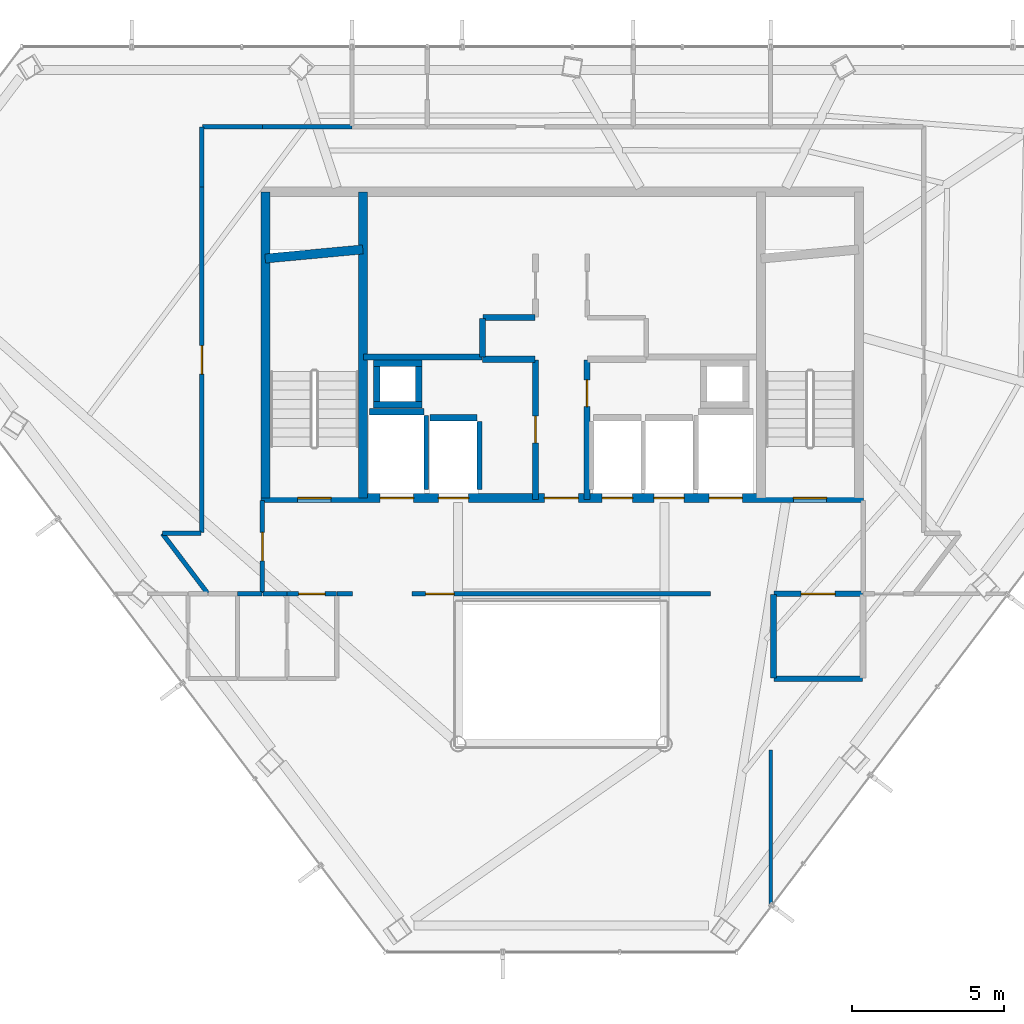
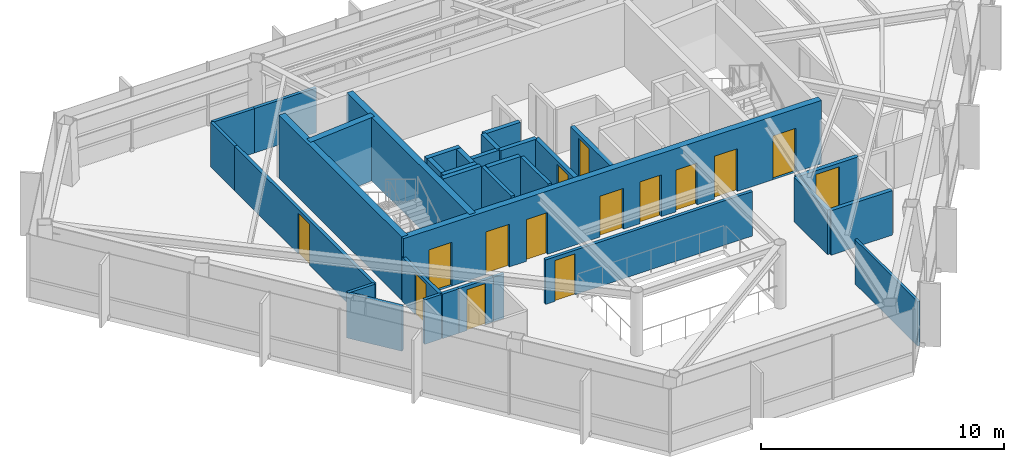
# One storey, part 24 of 27: 34 walls, 15 doors, 15 openings.
"""IFC4 building model written with IfcOpenShell, lengths in metres."""

from ifc_helpers import new_model, si_unit, direction, frame, frame_2d, origin, place, context, subcontext, project, spatial, rectangle, extrude, material, layer, layer_set, type_object, element, fill, save


model = new_model("IFC4")

# Units and contexts
model_context = context("Model", 3, precision=1e-05, world=origin(), true_north=direction((0.0, 1.0)))
body_context = subcontext(model_context, "Body", "Model", "MODEL_VIEW")
ifc_project = project(units=[si_unit("LENGTHUNIT", "METRE"), si_unit("AREAUNIT", "SQUARE_METRE"), si_unit("VOLUMEUNIT", "CUBIC_METRE"), si_unit("PLANEANGLEUNIT", "RADIAN"), si_unit("MASSUNIT", "GRAM", prefix="KILO")], contexts=[model_context])

# Site, building, storey
site_placement = place(None, origin())
site = spatial("IfcSite", under=ifc_project, at=site_placement, CompositionType="ELEMENT")
building_placement = place(site_placement, origin())
building = spatial("IfcBuilding", under=site, at=building_placement, Name="Zarrinselat Tower", CompositionType="ELEMENT")
storey_placement = place(building_placement, frame((0.0, 0.0, 235.9599609375)))
storey = spatial("IfcBuildingStorey", under=building, at=storey_placement, Name="L59", CompositionType="ELEMENT", Elevation=235.9599609375)

# Wall, opening, door
ifc_material_1 = material(Name="Concrete C40/50", Category="concrete")
ifc_layer_1 = layer(ifc_material_1, 0.18994140625)
ifc_layer_set_1 = layer_set([ifc_layer_1], Name="Concrete C40/50")
wall_type_1 = type_object("IfcWallType", Name="WAL-PART-EI120", PredefinedType="PARTITIONING", material=ifc_layer_set_1)
wall_1_placement = place(storey_placement, frame((45.405029296875, 30.14990234375, 0.0), z_axis=(0.0, 0.0, 1.0), x_axis=(1.0, 0.0, 0.0)))
wall_1 = element("IfcWall", 1, at=wall_1_placement, inside=storey, type_object=wall_type_1, Name="L59 Partition Wall 13", PredefinedType="PARTITIONING", context=body_context, shape_type="SweptSolid", body=[
    extrude(rectangle(XDim=2.925048828125, YDim=0.18994140625, at=frame_2d((1.46240234375, 0.0))), origin(), (0.0, 0.0, 1.0), 2.235107421875),
])
opening_1_placement = place(wall_1_placement, frame((0.902587890625, 0.0, 0.0)))
opening_1 = element("IfcOpeningElement", 2, at=opening_1_placement, cuts=wall_1, Name="Opening ID-02", PredefinedType="OPENING", context=body_context, shape_type="SweptSolid", body=[
    extrude(rectangle(XDim=1.1201171875, YDim=2.050048828125, at=frame_2d((0.56005859375, 1.02490234375))), frame((0.0, 0.10498046875, 0.0), z_axis=(0.0, -1.0, 0.0), x_axis=(1.0, 0.0, 0.0)), (0.0, 0.0, 1.0), 0.2099609375),
])
ifc_material_2 = material(Name="Steel S355J2", Category="steel")
door_type_1 = type_object("IfcDoorType", Name="DR-INT-FD60-W", OperationType="NOTDEFINED", PredefinedType="DOOR", material=ifc_material_2)
door_1_placement = place(opening_1_placement, origin())
door_1 = element("IfcDoor", 3, at=door_1_placement, inside=storey, type_object=door_type_1, Name="L59 Interior Door P13", OperationType="SINGLE_SWING_RIGHT", OverallHeight=2.050048828125, OverallWidth=1.1201171875, PredefinedType="DOOR", context=body_context, shape_type="SweptSolid", body=[
    extrude(rectangle(XDim=1.1201171875, YDim=2.050048828125, at=frame_2d((0.56005859375, 1.02490234375))), frame((0.0, 0.02490234375, 0.0), z_axis=(0.0, -1.0, 0.0), x_axis=(1.0, 0.0, 0.0)), (0.0, 0.0, 1.0), 0.050048828125),
])
fill(opening_1, door_1)

# Walls
wall_2_placement = place(storey_placement, frame((45.419921875, 27.35009765625, 0.0), z_axis=(0.0, 0.0, 1.0), x_axis=(1.0, 0.0, 0.0)))
element("IfcWall", 4, at=wall_2_placement, inside=storey, type_object=wall_type_1, Name="L59 Partition Wall 20", PredefinedType="PARTITIONING", context=body_context, shape_type="SweptSolid", body=[
    extrude(rectangle(XDim=2.91015625, YDim=0.18994140625, at=frame_2d((1.455078125, 0.0))), origin(), (0.0, 0.0, 1.0), 2.235107421875),
])
wall_3_placement = place(storey_placement, frame((45.39990234375, 27.3701171875, 0.0), z_axis=(0.0, 0.0, 1.0), x_axis=(0.0, 1.0, 0.0)))
element("IfcWall", 5, at=wall_3_placement, inside=storey, type_object=wall_type_1, Name="L59 Partition Wall 21", PredefinedType="PARTITIONING", context=body_context, shape_type="SweptSolid", body=[
    extrude(rectangle(XDim=2.759765625, YDim=0.18994140625, at=frame_2d((1.3798828125, 0.0))), origin(), (0.0, 0.0, 1.0), 2.235107421875),
])

# Wall, opening, door
ifc_material_3 = material(Name="Fire-Rated Gypsum Board Partition", Category="gypsum")
ifc_layer_2 = layer(ifc_material_3, 0.14990234375)
ifc_layer_set_2 = layer_set([ifc_layer_2], Name="Fire-Rated Gypsum Board Partition")
wall_type_2 = type_object("IfcWallType", Name="WAL-PART-EI60", PredefinedType="PARTITIONING", material=ifc_layer_set_2)
wall_4_placement = place(storey_placement, frame((28.550048828125, 30.169921875, 0.0), z_axis=(0.0, 0.0, 1.0), x_axis=(0.0, 1.0, 0.0)))
wall_4 = element("IfcWall", 6, at=wall_4_placement, inside=storey, type_object=wall_type_2, Name="L59 Partition Wall 14", PredefinedType="PARTITIONING", context=body_context, shape_type="SweptSolid", body=[
    extrude(rectangle(XDim=3.06005859375, YDim=0.14990234375, at=frame_2d((1.530029296875, 0.0))), origin(), (0.0, 0.0, 1.0), 2.235107421875),
])
opening_2_placement = place(wall_4_placement, frame((1.06005859375, 0.0, 0.0)))
opening_2 = element("IfcOpeningElement", 7, at=opening_2_placement, cuts=wall_4, Name="Opening ID-04", PredefinedType="OPENING", context=body_context, shape_type="SweptSolid", body=[
    extrude(rectangle(XDim=0.93994140625, YDim=2.050048828125, at=frame_2d((0.469970703125, 1.02490234375))), frame((0.0, 0.0849609375, 0.0), z_axis=(0.0, -1.0, 0.0), x_axis=(1.0, 0.0, 0.0)), (0.0, 0.0, 1.0), 0.169921875),
])
ifc_material_4 = material(Name="Fire-Rated Gypsum Board Partition")
door_type_2 = type_object("IfcDoorType", Name="DR-INT-FD30-ENT", OperationType="NOTDEFINED", PredefinedType="DOOR", material=ifc_material_4)
door_2_placement = place(opening_2_placement, origin())
door_2 = element("IfcDoor", 8, at=door_2_placement, inside=storey, type_object=door_type_2, Name="L59 Interior Door P14", OperationType="SINGLE_SWING_LEFT", OverallHeight=2.050048828125, OverallWidth=0.93994140625, PredefinedType="DOOR", context=body_context, shape_type="SweptSolid", body=[
    extrude(rectangle(XDim=0.93994140625, YDim=2.050048828125, at=frame_2d((0.469970703125, 1.02490234375))), frame((0.0, 0.02490234375, 0.0), z_axis=(0.0, -1.0, 0.0), x_axis=(1.0, 0.0, 0.0)), (0.0, 0.0, 1.0), 0.050048828125),
])
fill(opening_2, door_2)

wall_5_placement = place(storey_placement, frame((29.364990234375, 30.14990234375, 0.0), z_axis=(0.0, 0.0, 1.0), x_axis=(1.0, 0.0, 0.0)))
wall_5 = element("IfcWall", 9, at=wall_5_placement, inside=storey, type_object=wall_type_2, Name="L59 Partition Wall 16", PredefinedType="PARTITIONING", context=body_context, shape_type="SweptSolid", body=[
    extrude(rectangle(XDim=1.630126953125, YDim=0.14990234375, at=frame_2d((0.81494140625, 0.0))), origin(), (0.0, 0.0, 1.0), 2.235107421875),
])
opening_3_placement = place(wall_5_placement, frame((0.375, 0.0, 0.0)))
opening_3 = element("IfcOpeningElement", 10, at=opening_3_placement, cuts=wall_5, Name="Opening ID-03", PredefinedType="OPENING", context=body_context, shape_type="SweptSolid", body=[
    extrude(rectangle(XDim=0.8798828125, YDim=2.050048828125, at=frame_2d((0.43994140625, 1.02490234375))), frame((0.0, 0.0849609375, 0.0), z_axis=(0.0, -1.0, 0.0), x_axis=(1.0, 0.0, 0.0)), (0.0, 0.0, 1.0), 0.169921875),
])
ifc_material_5 = material(Name="Steel S355J2", Category="steel")
door_type_3 = type_object("IfcDoorType", Name="DR-INT-FD60-S", OperationType="NOTDEFINED", PredefinedType="DOOR", material=ifc_material_5)
door_3_placement = place(opening_3_placement, origin())
door_3 = element("IfcDoor", 11, at=door_3_placement, inside=storey, type_object=door_type_3, Name="L59 Interior Door P16", OperationType="SINGLE_SWING_RIGHT", OverallHeight=2.050048828125, OverallWidth=0.8798828125, PredefinedType="DOOR", context=body_context, shape_type="SweptSolid", body=[
    extrude(rectangle(XDim=0.8798828125, YDim=2.050048828125, at=frame_2d((0.43994140625, 1.02490234375))), frame((0.0, 0.02490234375, 0.0), z_axis=(0.0, -1.0, 0.0), x_axis=(1.0, 0.0, 0.0)), (0.0, 0.0, 1.0), 0.050048828125),
])
fill(opening_3, door_3)

# Wall
wall_6_placement = place(storey_placement, frame((28.570068359375, 30.14990234375, 0.0), z_axis=(0.0, 0.0, 1.0), x_axis=(1.0, 0.0, 0.0)))
element("IfcWall", 12, at=wall_6_placement, inside=storey, type_object=wall_type_2, Name="L59 Partition Wall 17", PredefinedType="PARTITIONING", context=body_context, shape_type="SweptSolid", body=[
    extrude(rectangle(XDim=0.784912109375, YDim=0.14990234375, at=frame_2d((0.392578125, 0.0))), origin(), (0.0, 0.0, 1.0), 2.235107421875),
])

# Wall, opening, door
wall_7_placement = place(storey_placement, frame((33.485107421875, 30.14990234375, 0.0), z_axis=(0.0, 0.0, 1.0), x_axis=(1.0, 0.0, 0.0)))
wall_7 = element("IfcWall", 13, at=wall_7_placement, inside=storey, type_object=wall_type_2, Name="L59 Partition Wall 18", PredefinedType="PARTITIONING", context=body_context, shape_type="SweptSolid", body=[
    extrude(rectangle(XDim=9.829833984375, YDim=0.14990234375, at=frame_2d((4.9150390625, 0.0))), origin(), (0.0, 0.0, 1.0), 2.235107421875),
])
opening_4_placement = place(wall_7_placement, frame((0.445068359375, 0.0, 0.0)))
opening_4 = element("IfcOpeningElement", 14, at=opening_4_placement, cuts=wall_7, Name="Opening ID-04", PredefinedType="OPENING", context=body_context, shape_type="SweptSolid", body=[
    extrude(rectangle(XDim=0.93994140625, YDim=2.050048828125, at=frame_2d((0.469970703125, 1.02490234375))), frame((0.0, 0.0849609375, 0.0), z_axis=(0.0, -1.0, 0.0), x_axis=(1.0, 0.0, 0.0)), (0.0, 0.0, 1.0), 0.169921875),
])
door_4_placement = place(opening_4_placement, origin())
door_4 = element("IfcDoor", 15, at=door_4_placement, inside=storey, type_object=door_type_2, Name="L59 Interior Door P18", OperationType="SINGLE_SWING_LEFT", OverallHeight=2.050048828125, OverallWidth=0.93994140625, PredefinedType="DOOR", context=body_context, shape_type="SweptSolid", body=[
    extrude(rectangle(XDim=0.93994140625, YDim=2.050048828125, at=frame_2d((0.469970703125, 1.02490234375))), frame((0.0, 0.02490234375, 0.0), z_axis=(0.0, -1.0, 0.0), x_axis=(1.0, 0.0, 0.0)), (0.0, 0.0, 1.0), 0.050048828125),
])
fill(opening_4, door_4)

# Walls
wall_8_placement = place(storey_placement, frame((31.0048828125, 30.14990234375, 0.0), z_axis=(0.0, 0.0, 1.0), x_axis=(1.0, 0.0, 0.0)))
element("IfcWall", 16, at=wall_8_placement, inside=storey, type_object=wall_type_2, Name="L59 Partition Wall 19", PredefinedType="PARTITIONING", context=body_context, shape_type="SweptSolid", body=[
    extrude(rectangle(XDim=0.510009765625, YDim=0.14990234375, at=frame_2d((0.2548828125, 0.0))), origin(), (0.0, 0.0, 1.0), 2.235107421875),
])
wall_9_placement = place(storey_placement, frame((27.735107421875, 30.14990234375, 0.0), z_axis=(0.0, 0.0, 1.0), x_axis=(1.0, 0.0, 0.0)))
element("IfcWall", 17, at=wall_9_placement, inside=storey, type_object=wall_type_2, Name="L59 Partition Wall 24", PredefinedType="PARTITIONING", context=body_context, shape_type="SweptSolid", body=[
    extrude(rectangle(XDim=0.794921875, YDim=0.14990234375, at=frame_2d((0.3974609375, 0.0))), origin(), (0.0, 0.0, 1.0), 2.235107421875),
])
wall_10_placement = place(storey_placement, frame((25.251708984375, 32.134033203125, 0.0), z_axis=(0.0, 0.0, 1.0), x_axis=(0.603869110647, -0.797083494502, 0.0)))
element("IfcWall", 18, at=wall_10_placement, inside=storey, type_object=wall_type_2, Name="L59 Partition Wall 26", PredefinedType="PARTITIONING", context=body_context, shape_type="SweptSolid", body=[
    extrude(rectangle(XDim=2.468994140625, YDim=0.14990234375, at=frame_2d((1.234375, 0.0))), origin(), (0.0, 0.0, 1.0), 2.235107421875),
])
wall_11_placement = place(storey_placement, frame((25.259521484375, 32.14990234375, 0.0), z_axis=(0.0, 0.0, 1.0), x_axis=(1.0, 0.0, 0.0)))
element("IfcWall", 19, at=wall_11_placement, inside=storey, type_object=wall_type_2, Name="L59 Partition Wall 27", PredefinedType="PARTITIONING", context=body_context, shape_type="SweptSolid", body=[
    extrude(rectangle(XDim=1.2705078125, YDim=0.14990234375, at=frame_2d((0.63525390625, 0.0))), origin(), (0.0, 0.0, 1.0), 2.235107421875),
])

# Wall, opening, door
wall_12_placement = place(storey_placement, frame((26.550048828125, 32.169921875, 0.0), z_axis=(0.0, 0.0, 1.0), x_axis=(0.0, 1.0, 0.0)))
wall_12 = element("IfcWall", 20, at=wall_12_placement, inside=storey, type_object=wall_type_2, Name="L59 Partition Wall 28", PredefinedType="PARTITIONING", context=body_context, shape_type="SweptSolid", body=[
    extrude(rectangle(XDim=11.380126953125, YDim=0.14990234375, at=frame_2d((5.68994140625, 0.0))), origin(), (0.0, 0.0, 1.0), 2.235107421875),
])
opening_5_placement = place(wall_12_placement, frame((5.219970703125, 0.0, 0.0)))
opening_5 = element("IfcOpeningElement", 21, at=opening_5_placement, cuts=wall_12, Name="Opening ID-04", PredefinedType="OPENING", context=body_context, shape_type="SweptSolid", body=[
    extrude(rectangle(XDim=0.93994140625, YDim=2.050048828125, at=frame_2d((0.469970703125, 1.02490234375))), frame((0.0, 0.0849609375, 0.0), z_axis=(0.0, -1.0, 0.0), x_axis=(1.0, 0.0, 0.0)), (0.0, 0.0, 1.0), 0.169921875),
])
door_5_placement = place(opening_5_placement, origin())
door_5 = element("IfcDoor", 22, at=door_5_placement, inside=storey, type_object=door_type_2, Name="L59 Interior Door P28", OperationType="SINGLE_SWING_LEFT", OverallHeight=2.050048828125, OverallWidth=0.93994140625, PredefinedType="DOOR", context=body_context, shape_type="SweptSolid", body=[
    extrude(rectangle(XDim=0.93994140625, YDim=2.050048828125, at=frame_2d((0.469970703125, 1.02490234375))), frame((0.0, 0.02490234375, 0.0), z_axis=(0.0, -1.0, 0.0), x_axis=(1.0, 0.0, 0.0)), (0.0, 0.0, 1.0), 0.050048828125),
])
fill(opening_5, door_5)

# Walls
for number, where, z_axis, x_axis, name in (
    (23, (26.550048828125, 43.550048828125, 0.0), (0.0, 0.0, 1.0), (0.0, 1.0, 0.0), "L59 Partition Wall 29"),
    (24, (26.570068359375, 45.550048828125, 0.0), (0.0, 0.0, 1.0), (1.0, 0.0, 0.0), "L59 Partition Wall 30"),
):
    element("IfcWall", number, at=place(storey_placement, frame(where, z_axis=z_axis, x_axis=x_axis)), inside=storey, type_object=wall_type_2, Name=name, PredefinedType="PARTITIONING", context=body_context, shape_type="SweptSolid", body=[
        extrude(rectangle(XDim=1.97998046875, YDim=0.14990234375, at=frame_2d((0.989990234375, 0.0))), origin(), (0.0, 0.0, 1.0), 2.235107421875),
    ])
wall_13_placement = place(storey_placement, frame((28.550048828125, 45.550048828125, 0.0), z_axis=(0.0, 0.0, 1.0), x_axis=(1.0, 0.0, 0.0)))
element("IfcWall", 25, at=wall_13_placement, inside=storey, type_object=wall_type_2, Name="L59 Partition Wall 31", PredefinedType="PARTITIONING", context=body_context, shape_type="SweptSolid", body=[
    extrude(rectangle(XDim=2.945068359375, YDim=0.14990234375, at=frame_2d((1.47265625, 0.0))), origin(), (0.0, 0.0, 1.0), 2.235107421875),
])

# Wall, opening, door
ifc_material_6 = material(Name="Concrete C40/50", Category="concrete")
ifc_layer_3 = layer(ifc_material_6, 0.199951171875)
ifc_layer_set_3 = layer_set([ifc_layer_3], Name="Concrete C40/50")
wall_type_3 = type_object("IfcWallType", Name="WAL-PART-PLANT", PredefinedType="PARTITIONING", material=ifc_layer_set_3)
wall_14_placement = place(storey_placement, frame((37.550048828125, 33.264892578125, 0.0), z_axis=(0.0, 0.0, 1.0), x_axis=(0.0, 1.0, 0.0)))
wall_14 = element("IfcWall", 26, at=wall_14_placement, inside=storey, type_object=wall_type_3, Name="L59 Partition Wall 1", PredefinedType="PARTITIONING", context=body_context, shape_type="SweptSolid", body=[
    extrude(rectangle(XDim=4.59521484375, YDim=0.199951171875, at=frame_2d((2.297607421875, 0.0))), origin(), (0.0, 0.0, 1.0), 2.235107421875),
])
opening_6_placement = place(wall_14_placement, frame((1.857421875, 0.0, 0.0)))
opening_6 = element("IfcOpeningElement", 27, at=opening_6_placement, cuts=wall_14, Name="Opening ID-03", PredefinedType="OPENING", context=body_context, shape_type="SweptSolid", body=[
    extrude(rectangle(XDim=0.8798828125, YDim=2.050048828125, at=frame_2d((0.43994140625, 1.02490234375))), frame((0.0, 0.10986328125, 0.0), z_axis=(0.0, -1.0, 0.0), x_axis=(1.0, 0.0, 0.0)), (0.0, 0.0, 1.0), 0.219970703125),
])
door_6_placement = place(opening_6_placement, origin())
door_6 = element("IfcDoor", 28, at=door_6_placement, inside=storey, type_object=door_type_3, Name="L59 Interior Door P1", OperationType="SINGLE_SWING_RIGHT", OverallHeight=2.050048828125, OverallWidth=0.8798828125, PredefinedType="DOOR", context=body_context, shape_type="SweptSolid", body=[
    extrude(rectangle(XDim=0.8798828125, YDim=2.050048828125, at=frame_2d((0.43994140625, 1.02490234375))), frame((0.0, 0.02490234375, 0.0), z_axis=(0.0, -1.0, 0.0), x_axis=(1.0, 0.0, 0.0)), (0.0, 0.0, 1.0), 0.050048828125),
])
fill(opening_6, door_6)

# Walls
wall_15_placement = place(storey_placement, frame((35.800048828125, 37.8798828125, 0.0), z_axis=(0.0, 0.0, 1.0), x_axis=(1.0, 0.0, 0.0)))
element("IfcWall", 29, at=wall_15_placement, inside=storey, type_object=wall_type_3, Name="L59 Partition Wall 2", PredefinedType="PARTITIONING", context=body_context, shape_type="SweptSolid", body=[
    extrude(rectangle(XDim=1.72998046875, YDim=0.199951171875, at=frame_2d((0.864990234375, 0.0))), origin(), (0.0, 0.0, 1.0), 2.235107421875),
])
wall_16_placement = place(storey_placement, frame((35.800048828125, 37.955078125, 0.0), z_axis=(0.0, 0.0, 1.0), x_axis=(0.0, 1.0, 0.0)))
element("IfcWall", 30, at=wall_16_placement, inside=storey, type_object=wall_type_3, Name="L59 Partition Wall 3", PredefinedType="PARTITIONING", context=body_context, shape_type="SweptSolid", body=[
    extrude(rectangle(XDim=1.27490234375, YDim=0.199951171875, at=frame_2d((0.637451171875, 0.0))), origin(), (0.0, 0.0, 1.0), 2.235107421875),
])
wall_17_placement = place(storey_placement, frame((35.820068359375, 39.25, 0.0), z_axis=(0.0, 0.0, 1.0), x_axis=(1.0, 0.0, 0.0)))
element("IfcWall", 31, at=wall_17_placement, inside=storey, type_object=wall_type_3, Name="L59 Partition Wall 4", PredefinedType="PARTITIONING", context=body_context, shape_type="SweptSolid", body=[
    extrude(rectangle(XDim=1.7099609375, YDim=0.199951171875, at=frame_2d((0.85498046875, 0.0))), origin(), (0.0, 0.0, 1.0), 2.235107421875),
])

# Wall, opening, door
wall_18_placement = place(storey_placement, frame((39.25, 33.264892578125, 0.0), z_axis=(0.0, 0.0, 1.0), x_axis=(0.0, 1.0, 0.0)))
wall_18 = element("IfcWall", 32, at=wall_18_placement, inside=storey, type_object=wall_type_3, Name="L59 Partition Wall 7", PredefinedType="PARTITIONING", context=body_context, shape_type="SweptSolid", body=[
    extrude(rectangle(XDim=4.59521484375, YDim=0.199951171875, at=frame_2d((2.297607421875, 0.0))), origin(), (0.0, 0.0, 1.0), 2.235107421875),
])
opening_7_placement = place(wall_18_placement, frame((3.0576171875, 0.0, 0.0)))
opening_7 = element("IfcOpeningElement", 33, at=opening_7_placement, cuts=wall_18, Name="Opening ID-03", PredefinedType="OPENING", context=body_context, shape_type="SweptSolid", body=[
    extrude(rectangle(XDim=0.8798828125, YDim=2.050048828125, at=frame_2d((0.43994140625, 1.02490234375))), frame((0.0, 0.10986328125, 0.0), z_axis=(0.0, -1.0, 0.0), x_axis=(1.0, 0.0, 0.0)), (0.0, 0.0, 1.0), 0.219970703125),
])
door_7_placement = place(opening_7_placement, origin())
door_7 = element("IfcDoor", 34, at=door_7_placement, inside=storey, type_object=door_type_3, Name="L59 Interior Door P7", OperationType="SINGLE_SWING_RIGHT", OverallHeight=2.050048828125, OverallWidth=0.8798828125, PredefinedType="DOOR", context=body_context, shape_type="SweptSolid", body=[
    extrude(rectangle(XDim=0.8798828125, YDim=2.050048828125, at=frame_2d((0.43994140625, 1.02490234375))), frame((0.0, 0.02490234375, 0.0), z_axis=(0.0, -1.0, 0.0), x_axis=(1.0, 0.0, 0.0)), (0.0, 0.0, 1.0), 0.050048828125),
])
fill(opening_7, door_7)

# Walls
wall_19_placement = place(storey_placement, frame((31.885009765625, 37.949951171875, 0.0), z_axis=(0.0, 0.0, 1.0), x_axis=(1.0, 0.0, 0.0)))
element("IfcWall", 35, at=wall_19_placement, inside=storey, type_object=wall_type_3, Name="L59 Partition Wall 11", PredefinedType="PARTITIONING", context=body_context, shape_type="SweptSolid", body=[
    extrude(rectangle(XDim=3.89501953125, YDim=0.199951171875, at=frame_2d((1.947509765625, 0.0))), origin(), (0.0, 0.0, 1.0), 2.235107421875),
])
ifc_material_7 = material(Name="Fire-Rated Gypsum Board Partition", Category="gypsum")
ifc_layer_4 = layer(ifc_material_7, 0.1201171875)
ifc_layer_set_4 = layer_set([ifc_layer_4], Name="Fire-Rated Gypsum Board Partition")
wall_type_4 = type_object("IfcWallType", Name="WAL-PART-STD", PredefinedType="PARTITIONING", material=ifc_layer_set_4)
wall_20_placement = place(storey_placement, frame((45.300048828125, 19.827392578125, 0.0), z_axis=(0.0, 0.0, 1.0), x_axis=(0.0, 1.0, 0.0)))
element("IfcWall", 36, at=wall_20_placement, inside=storey, type_object=wall_type_4, Name="L59 Partition Wall 49", PredefinedType="PARTITIONING", context=body_context, shape_type="SweptSolid", body=[
    extrude(rectangle(XDim=5.172607421875, YDim=0.1201171875, at=frame_2d((2.58642578125, 0.0))), origin(), (0.0, 0.0, 1.0), 2.235107421875),
])
ifc_material_8 = material(Name="Concrete C40/50", Category="concrete")
ifc_layer_5 = layer(ifc_material_8, 0.2099609375)
ifc_layer_set_5 = layer_set([ifc_layer_5], Name="Concrete C40/50")
wall_type_5 = type_object("IfcWallType", Name="WAL-SHAFT-210", PredefinedType="SOLIDWALL", material=ifc_layer_set_5)
wall_21_placement = place(storey_placement, frame((32.080078125, 36.155029296875, 0.0), z_axis=(0.0, 0.0, 1.0), x_axis=(1.0, 0.0, 0.0)))
element("IfcWall", 37, at=wall_21_placement, inside=storey, type_object=wall_type_5, Name="L59 Lift FFL1 North Shaft Wall", PredefinedType="SOLIDWALL", context=body_context, shape_type="SweptSolid", body=[
    extrude(rectangle(XDim=1.7998046875, YDim=0.2099609375, at=frame_2d((0.89990234375, 0.0))), origin(), (0.0, 0.0, 1.0), 3.179931640625),
])
wall_22_placement = place(storey_placement, frame((33.949951171875, 33.580078125, 0.0), z_axis=(0.0, 0.0, 1.0), x_axis=(0.0, 1.0, 0.0)))
element("IfcWall", 38, at=wall_22_placement, inside=storey, type_object=wall_type_5, Name="L59 Lift FFL1 E Shaft Wall", PredefinedType="SOLIDWALL", context=body_context, shape_type="SweptSolid", body=[
    extrude(rectangle(XDim=2.449951171875, YDim=0.159912109375, at=frame_2d((1.22509765625, 0.0))), origin(), (0.0, 0.0, 1.0), 3.179931640625),
])
wall_23_placement = place(storey_placement, frame((34.070068359375, 35.955078125, 0.0), z_axis=(0.0, 0.0, 1.0), x_axis=(1.0, 0.0, 0.0)))
element("IfcWall", 39, at=wall_23_placement, inside=storey, type_object=wall_type_5, Name="L59 Lift PL10 North Shaft Wall", PredefinedType="SOLIDWALL", context=body_context, shape_type="SweptSolid", body=[
    extrude(rectangle(XDim=1.559814453125, YDim=0.2099609375, at=frame_2d((0.77978515625, 0.0))), origin(), (0.0, 0.0, 1.0), 3.179931640625),
])
wall_24_placement = place(storey_placement, frame((35.699951171875, 33.580078125, 0.0), z_axis=(0.0, 0.0, 1.0), x_axis=(0.0, 1.0, 0.0)))
element("IfcWall", 40, at=wall_24_placement, inside=storey, type_object=wall_type_5, Name="L59 Lift PL10 E Shaft Wall", PredefinedType="SOLIDWALL", context=body_context, shape_type="SweptSolid", body=[
    extrude(rectangle(XDim=2.25, YDim=0.159912109375, at=frame_2d((1.125, 0.0))), origin(), (0.0, 0.0, 1.0), 3.179931640625),
])
for number, where, z_axis, x_axis, name in (
    (41, (32.2099609375, 36.375, 0.0), (0.0, 0.0, 1.0), (1.0, 0.0, 0.0), "L59 Core Riser RSR-W S Shaft Wall"),
    (42, (32.2099609375, 37.7451171875, 0.0), (0.0, 0.0, 1.0), (1.0, 0.0, 0.0), "L59 Core Riser RSR-W N Shaft Wall"),
):
    element("IfcWall", number, at=place(storey_placement, frame(where, z_axis=z_axis, x_axis=x_axis)), inside=storey, type_object=wall_type_5, Name=name, PredefinedType="SOLIDWALL", context=body_context, shape_type="SweptSolid", body=[
        extrude(rectangle(XDim=1.60009765625, YDim=0.2099609375, at=frame_2d((0.800048828125, 0.0))), origin(), (0.0, 0.0, 1.0), 3.179931640625),
    ])
for number, where, z_axis, x_axis, name in (
    (43, (32.31494140625, 36.485107421875, 0.0), (0.0, 0.0, 1.0), (0.0, 1.0, 0.0), "L59 Core Riser RSR-W W Shaft Wall"),
    (44, (33.705078125, 36.485107421875, 0.0), (0.0, 0.0, 1.0), (0.0, 1.0, 0.0), "L59 Core Riser RSR-W E Shaft Wall"),
):
    element("IfcWall", number, at=place(storey_placement, frame(where, z_axis=z_axis, x_axis=x_axis)), inside=storey, type_object=wall_type_5, Name=name, PredefinedType="SOLIDWALL", context=body_context, shape_type="SweptSolid", body=[
        extrude(rectangle(XDim=1.14990234375, YDim=0.2099609375, at=frame_2d((0.574951171875, 0.0))), origin(), (0.0, 0.0, 1.0), 3.179931640625),
    ])

# Wall, openings, doors
ifc_material_9 = material(Name="Concrete C40/50", Category="concrete")
ifc_layer_6 = layer(ifc_material_9, 0.300048828125)
ifc_layer_set_6 = layer_set([ifc_layer_6], Name="Concrete C40/50")
wall_type_6 = type_object("IfcWallType", Name="WAL-SHEAR-300", PredefinedType="SHEAR", material=ifc_layer_set_6)
wall_25_placement = place(storey_placement, frame((28.5, 33.300048828125, 0.0), z_axis=(0.0, 0.0, 1.0), x_axis=(1.0, 0.0, 0.0)))
wall_25 = element("IfcWall", 45, at=wall_25_placement, inside=storey, type_object=wall_type_6, Name="L59 South Core Shear Wall", PredefinedType="SHEAR", context=body_context, shape_type="SweptSolid", body=[
    extrude(rectangle(XDim=19.860107421875, YDim=0.300048828125, at=frame_2d((9.93017578125, 0.0))), origin(), (0.0, 0.0, 1.0), 3.179931640625),
])
opening_8_placement = place(wall_25_placement, frame((3.929931640625, 0.0, 0.0)))
opening_8 = element("IfcOpeningElement", 46, at=opening_8_placement, cuts=wall_25, Name="Opening LD-FFL1", PredefinedType="OPENING", context=body_context, shape_type="SweptSolid", body=[
    extrude(rectangle(XDim=1.10009765625, YDim=2.14990234375, at=frame_2d((0.550048828125, 1.074951171875))), frame((0.0, 0.159912109375, 0.0), z_axis=(0.0, -1.0, 0.0), x_axis=(1.0, 0.0, 0.0)), (0.0, 0.0, 1.0), 0.320068359375),
])
opening_9_placement = place(wall_25_placement, frame((14.77001953125, 0.0, 0.0)))
opening_9 = element("IfcOpeningElement", 47, at=opening_9_placement, cuts=wall_25, Name="Opening LD-FFL2", PredefinedType="OPENING", context=body_context, shape_type="SweptSolid", body=[
    extrude(rectangle(XDim=1.10009765625, YDim=2.14990234375, at=frame_2d((0.550048828125, 1.074951171875))), frame((0.0, 0.159912109375, 0.0), z_axis=(0.0, -1.0, 0.0), x_axis=(1.0, 0.0, 0.0)), (0.0, 0.0, 1.0), 0.320068359375),
])
opening_10_placement = place(wall_25_placement, frame((11.25, 0.0, 0.0)))
opening_10 = element("IfcOpeningElement", 48, at=opening_10_placement, cuts=wall_25, Name="Opening LD-PL8", PredefinedType="OPENING", context=body_context, shape_type="SweptSolid", body=[
    extrude(rectangle(XDim=1.0, YDim=2.10009765625, at=frame_2d((0.5, 1.050048828125))), frame((0.0, 0.159912109375, 0.0), z_axis=(0.0, -1.0, 0.0), x_axis=(1.0, 0.0, 0.0)), (0.0, 0.0, 1.0), 0.320068359375),
])
opening_11_placement = place(wall_25_placement, frame((12.949951171875, 0.0, 0.0)))
opening_11 = element("IfcOpeningElement", 49, at=opening_11_placement, cuts=wall_25, Name="Opening LD-PL9", PredefinedType="OPENING", context=body_context, shape_type="SweptSolid", body=[
    extrude(rectangle(XDim=1.0, YDim=2.10009765625, at=frame_2d((0.5, 1.050048828125))), frame((0.0, 0.159912109375, 0.0), z_axis=(0.0, -1.0, 0.0), x_axis=(1.0, 0.0, 0.0)), (0.0, 0.0, 1.0), 0.320068359375),
])
opening_12_placement = place(wall_25_placement, frame((5.85009765625, 0.0, 0.0)))
opening_12 = element("IfcOpeningElement", 50, at=opening_12_placement, cuts=wall_25, Name="Opening LD-PL10", PredefinedType="OPENING", context=body_context, shape_type="SweptSolid", body=[
    extrude(rectangle(XDim=1.0, YDim=2.10009765625, at=frame_2d((0.5, 1.050048828125))), frame((0.0, 0.159912109375, 0.0), z_axis=(0.0, -1.0, 0.0), x_axis=(1.0, 0.0, 0.0)), (0.0, 0.0, 1.0), 0.320068359375),
])
opening_13_placement = place(wall_25_placement, frame((1.2099609375, 0.0, 0.0)))
opening_13 = element("IfcOpeningElement", 51, at=opening_13_placement, cuts=wall_25, Name="Opening SD-01", PredefinedType="OPENING", context=body_context, shape_type="SweptSolid", body=[
    extrude(rectangle(XDim=1.10009765625, YDim=2.199951171875, at=frame_2d((0.550048828125, 1.10009765625))), frame((0.0, 0.159912109375, 0.0), z_axis=(0.0, -1.0, 0.0), x_axis=(1.0, 0.0, 0.0)), (0.0, 0.0, 1.0), 0.320068359375),
])
opening_14_placement = place(wall_25_placement, frame((9.340087890625, 0.0, 0.0)))
opening_14 = element("IfcOpeningElement", 52, at=opening_14_placement, cuts=wall_25, Name="Opening ID-02", PredefinedType="OPENING", context=body_context, shape_type="SweptSolid", body=[
    extrude(rectangle(XDim=1.1201171875, YDim=2.050048828125, at=frame_2d((0.56005859375, 1.02490234375))), frame((0.0, 0.159912109375, 0.0), z_axis=(0.0, -1.0, 0.0), x_axis=(1.0, 0.0, 0.0)), (0.0, 0.0, 1.0), 0.320068359375),
])
opening_15_placement = place(wall_25_placement, frame((17.550048828125, 0.0, 0.0)))
opening_15 = element("IfcOpeningElement", 53, at=opening_15_placement, cuts=wall_25, Name="Opening SD-01", PredefinedType="OPENING", context=body_context, shape_type="SweptSolid", body=[
    extrude(rectangle(XDim=1.10009765625, YDim=2.199951171875, at=frame_2d((0.550048828125, 1.10009765625))), frame((0.0, 0.159912109375, 0.0), z_axis=(0.0, -1.0, 0.0), x_axis=(1.0, 0.0, 0.0)), (0.0, 0.0, 1.0), 0.320068359375),
])
door_8_placement = place(opening_14_placement, origin())
door_8 = element("IfcDoor", 54, at=door_8_placement, inside=storey, type_object=door_type_1, Name="L59 Core Service Vestibule Fire Door", OperationType="SINGLE_SWING_LEFT", OverallHeight=2.050048828125, OverallWidth=1.1201171875, PredefinedType="DOOR", context=body_context, shape_type="SweptSolid", body=[
    extrude(rectangle(XDim=1.1201171875, YDim=2.050048828125, at=frame_2d((0.56005859375, 1.02490234375))), frame((0.0, 0.02490234375, 0.0), z_axis=(0.0, -1.0, 0.0), x_axis=(1.0, 0.0, 0.0)), (0.0, 0.0, 1.0), 0.050048828125),
])
fill(opening_14, door_8)
ifc_material_10 = material(Name="Steel S355J2", Category="steel")
door_type_4 = type_object("IfcDoorType", Name="DR-LIFT-FF-1100", OperationType="NOTDEFINED", PredefinedType="DOOR", material=ifc_material_10)
door_9_placement = place(opening_8_placement, origin())
door_9 = element("IfcDoor", 55, at=door_9_placement, inside=storey, type_object=door_type_4, Name="L59 Lift FFL1 Sliding Landing Door", OperationType="SLIDING_TO_LEFT", OverallHeight=2.14990234375, OverallWidth=1.10009765625, PredefinedType="DOOR", context=body_context, shape_type="SweptSolid", body=[
    extrude(rectangle(XDim=1.10009765625, YDim=2.14990234375, at=frame_2d((0.550048828125, 1.074951171875))), frame((0.0, 0.02490234375, 0.0), z_axis=(0.0, -1.0, 0.0), x_axis=(1.0, 0.0, 0.0)), (0.0, 0.0, 1.0), 0.050048828125),
])
fill(opening_8, door_9)
door_10_placement = place(opening_9_placement, origin())
door_10 = element("IfcDoor", 56, at=door_10_placement, inside=storey, type_object=door_type_4, Name="L59 Lift FFL2 Sliding Landing Door", OperationType="SLIDING_TO_RIGHT", OverallHeight=2.14990234375, OverallWidth=1.10009765625, PredefinedType="DOOR", context=body_context, shape_type="SweptSolid", body=[
    extrude(rectangle(XDim=1.10009765625, YDim=2.14990234375, at=frame_2d((0.550048828125, 1.074951171875))), frame((0.0, 0.02490234375, 0.0), z_axis=(0.0, -1.0, 0.0), x_axis=(1.0, 0.0, 0.0)), (0.0, 0.0, 1.0), 0.050048828125),
])
fill(opening_9, door_10)
ifc_material_11 = material(Name="Steel S355J2", Category="steel")
door_type_5 = type_object("IfcDoorType", Name="DR-LIFT-PS-1000", OperationType="NOTDEFINED", PredefinedType="DOOR", material=ifc_material_11)
door_11_placement = place(opening_10_placement, origin())
door_11 = element("IfcDoor", 57, at=door_11_placement, inside=storey, type_object=door_type_5, Name="L59 Lift PL8 Sliding Landing Door", OperationType="SLIDING_TO_RIGHT", OverallHeight=2.10009765625, OverallWidth=1.0, PredefinedType="DOOR", context=body_context, shape_type="SweptSolid", body=[
    extrude(rectangle(XDim=1.0, YDim=2.10009765625, at=frame_2d((0.5, 1.050048828125))), frame((0.0, 0.02490234375, 0.0), z_axis=(0.0, -1.0, 0.0), x_axis=(1.0, 0.0, 0.0)), (0.0, 0.0, 1.0), 0.050048828125),
])
fill(opening_10, door_11)
door_12_placement = place(opening_11_placement, origin())
door_12 = element("IfcDoor", 58, at=door_12_placement, inside=storey, type_object=door_type_5, Name="L59 Lift PL9 Sliding Landing Door", OperationType="SLIDING_TO_LEFT", OverallHeight=2.10009765625, OverallWidth=1.0, PredefinedType="DOOR", context=body_context, shape_type="SweptSolid", body=[
    extrude(rectangle(XDim=1.0, YDim=2.10009765625, at=frame_2d((0.5, 1.050048828125))), frame((0.0, 0.02490234375, 0.0), z_axis=(0.0, -1.0, 0.0), x_axis=(1.0, 0.0, 0.0)), (0.0, 0.0, 1.0), 0.050048828125),
])
fill(opening_11, door_12)
door_13_placement = place(opening_12_placement, origin())
door_13 = element("IfcDoor", 59, at=door_13_placement, inside=storey, type_object=door_type_5, Name="L59 Lift PL10 Sliding Landing Door", OperationType="SLIDING_TO_RIGHT", OverallHeight=2.10009765625, OverallWidth=1.0, PredefinedType="DOOR", context=body_context, shape_type="SweptSolid", body=[
    extrude(rectangle(XDim=1.0, YDim=2.10009765625, at=frame_2d((0.5, 1.050048828125))), frame((0.0, 0.02490234375, 0.0), z_axis=(0.0, -1.0, 0.0), x_axis=(1.0, 0.0, 0.0)), (0.0, 0.0, 1.0), 0.050048828125),
])
fill(opening_12, door_13)
ifc_material_12 = material(Name="Steel S355J2", Category="steel")
door_type_6 = type_object("IfcDoorType", Name="DR-STAIR-1100", OperationType="NOTDEFINED", PredefinedType="DOOR", material=ifc_material_12)
door_14_placement = place(opening_13_placement, origin())
door_14 = element("IfcDoor", 60, at=door_14_placement, inside=storey, type_object=door_type_6, Name="L59 Exit Stair 1 Fire Door", OperationType="SINGLE_SWING_LEFT", OverallHeight=2.199951171875, OverallWidth=1.10009765625, PredefinedType="DOOR", context=body_context, shape_type="SweptSolid", body=[
    extrude(rectangle(XDim=1.10009765625, YDim=2.199951171875, at=frame_2d((0.550048828125, 1.10009765625))), frame((0.0, 0.02490234375, 0.0), z_axis=(0.0, -1.0, 0.0), x_axis=(1.0, 0.0, 0.0)), (0.0, 0.0, 1.0), 0.050048828125),
])
fill(opening_13, door_14)
door_15_placement = place(opening_15_placement, origin())
door_15 = element("IfcDoor", 61, at=door_15_placement, inside=storey, type_object=door_type_6, Name="L59 Exit Stair 2 Fire Door", OperationType="SINGLE_SWING_RIGHT", OverallHeight=2.199951171875, OverallWidth=1.10009765625, PredefinedType="DOOR", context=body_context, shape_type="SweptSolid", body=[
    extrude(rectangle(XDim=1.10009765625, YDim=2.199951171875, at=frame_2d((0.550048828125, 1.10009765625))), frame((0.0, 0.02490234375, 0.0), z_axis=(0.0, -1.0, 0.0), x_axis=(1.0, 0.0, 0.0)), (0.0, 0.0, 1.0), 0.050048828125),
])
fill(opening_15, door_15)

# Walls
for number, where, z_axis, x_axis, name in (
    (62, (28.64990234375, 33.300048828125, 0.0), (0.0, 0.0, 1.0), (0.0, 1.0, 0.0), "L59 Core Shear Wall W"),
    (63, (31.8701171875, 33.300048828125, 0.0), (0.0, 0.0, 1.0), (0.0, 1.0, 0.0), "L59 Core Shear Wall ST1E"),
):
    element("IfcWall", number, at=place(storey_placement, frame(where, z_axis=z_axis, x_axis=x_axis)), inside=storey, type_object=wall_type_6, Name=name, PredefinedType="SHEAR", context=body_context, shape_type="SweptSolid", body=[
        extrude(rectangle(XDim=10.099853515625, YDim=0.300048828125, at=frame_2d((5.0498046875, 0.0))), origin(), (0.0, 0.0, 1.0), 3.179931640625),
    ])
wall_26_placement = place(storey_placement, frame((28.639892578125, 41.199951171875, 0.0), z_axis=(0.0, 0.0, 1.0), x_axis=(0.995687118776, 0.092774789157, 0.0)))
element("IfcWall", 64, at=wall_26_placement, inside=storey, type_object=wall_type_6, Name="L59 Stair 1 North Shaft Wall", PredefinedType="SHEAR", context=body_context, shape_type="SweptSolid", body=[
    extrude(rectangle(XDim=3.234130859375, YDim=0.300048828125, at=frame_2d((1.6171875, 0.0))), origin(), (0.0, 0.0, 1.0), 3.179931640625),
])

save(model, "model.ifc")
